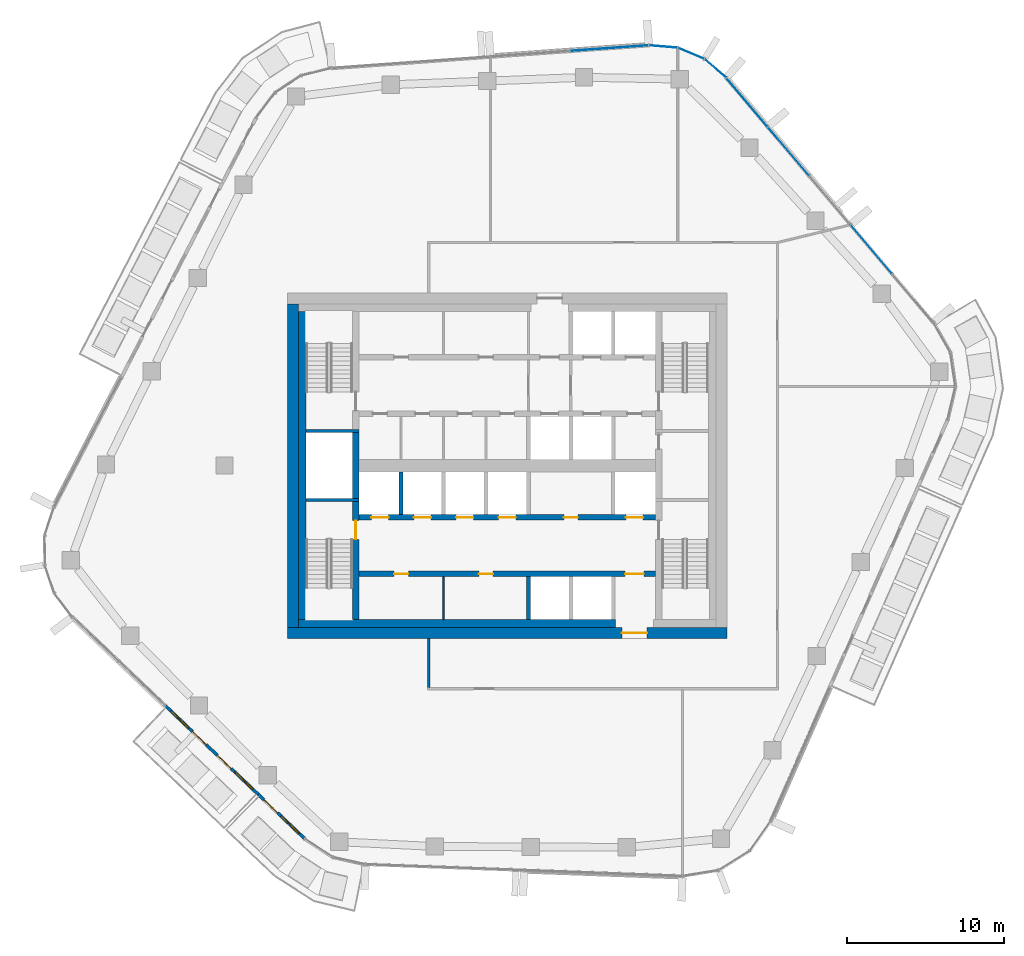
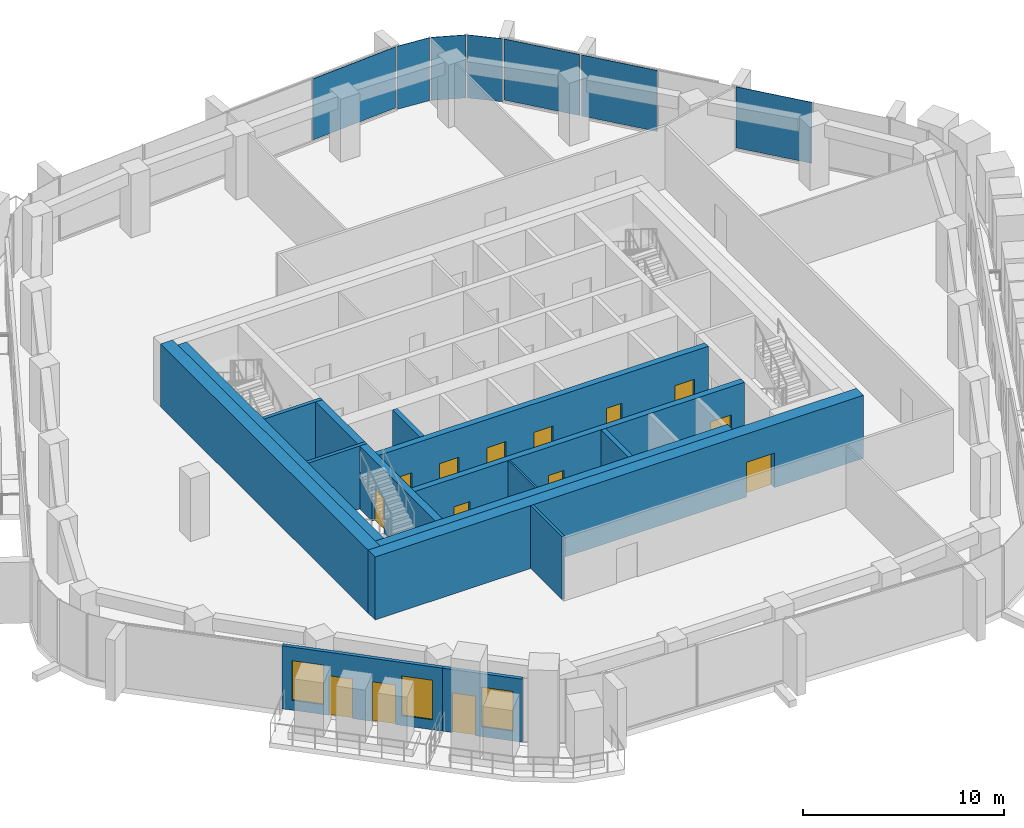
# One storey, part 11 of 21: 16 walls, 14 doors, 7 plates, 3 windows, 17 openings, 3 elements without a shape of their own.
"""IFC4 building model written with IfcOpenShell, lengths in metres."""

from ifc_helpers import new_model, si_unit, direction, frame, frame_2d, origin, origin_2d, place, context, subcontext, project, spatial, rectangle, extrude, material, layer, layer_set, type_object, element, fill, aggregate, save


model = new_model("IFC4")

# Units and contexts
model_context = context("Model", 3, precision=1e-05, world=origin(), true_north=direction((0.0, 1.0)))
body_context = subcontext(model_context, "Body", "Model", "MODEL_VIEW")
ifc_project = project(units=[si_unit("LENGTHUNIT", "METRE"), si_unit("AREAUNIT", "SQUARE_METRE"), si_unit("VOLUMEUNIT", "CUBIC_METRE"), si_unit("PLANEANGLEUNIT", "RADIAN"), si_unit("MASSUNIT", "GRAM", prefix="KILO")], contexts=[model_context])

# Site, building, storey
site_placement = place(None, origin())
site = spatial("IfcSite", under=ifc_project, at=site_placement, CompositionType="ELEMENT")
building_placement = place(site_placement, origin())
building = spatial("IfcBuilding", under=site, at=building_placement, Name="Dongbaek Canopy Tower", CompositionType="ELEMENT")
storey_placement = place(building_placement, frame((0.0, 0.0, 274.800048828125)))
storey = spatial("IfcBuildingStorey", under=building, at=storey_placement, Name="L58", CompositionType="ELEMENT", Elevation=274.800048828125)

# Curtain wall, plates
ifc_material_1 = material(Name="Aluminium 6063-T6 pale anodised", Category="aluminium")
ifc_layer_1 = layer(ifc_material_1, 0.199951171875)
ifc_layer_set_1 = layer_set([ifc_layer_1], Name="CW-1 unitised tower curtain wall")
curtain_wall_type = type_object("IfcCurtainWallType", Name="CW-1 unitised tower curtain wall", PredefinedType="NOTDEFINED", material=ifc_layer_set_1)
curtain_wall_1_placement = place(storey_placement, origin())
curtain_wall_1 = element("IfcCurtainWall", 1, at=curtain_wall_1_placement, inside=storey, type_object=curtain_wall_type, Name="CW-1 curtain wall F0.1", PredefinedType="NOTDEFINED")
ifc_material_2 = material(Name="Clear laminated glass", Category="glass")
ifc_layer_2 = layer(ifc_material_2, 0.028076171875)
ifc_layer_set_2 = layer_set([ifc_layer_2], Name="CW-1 glazed panel 28")
plate_type = type_object("IfcPlateType", Name="CW-1 glazed panel 28", PredefinedType="CURTAIN_PANEL", material=ifc_layer_set_2)
plate_1_placement = place(storey_placement, frame((23.1767578125, 13.771728515625, 0.1201171875), z_axis=(0.0, 0.0, 1.0), x_axis=(-0.646055122273, 0.763290756517, 0.0)))
plate_1 = element("IfcPlate", 2, at=plate_1_placement, type_object=plate_type, Name="CW-1 panel F0.1.2.1", PredefinedType="CURTAIN_PANEL", context=body_context, shape_type="SweptSolid", body=[
    extrude(rectangle(XDim=3.99853515625, YDim=0.028076171875, at=origin_2d()), origin(), (0.0, 0.0, 1.0), 3.699951171875),
])
plate_2_placement = place(storey_placement, frame((17.901611328125, 20.00390625, 0.1201171875), z_axis=(0.0, 0.0, 1.0), x_axis=(-0.646055122273, 0.763290756517, 0.0)))
plate_2 = element("IfcPlate", 3, at=plate_2_placement, type_object=plate_type, Name="CW-1 panel F0.1.4.1", PredefinedType="CURTAIN_PANEL", context=body_context, shape_type="SweptSolid", body=[
    extrude(rectangle(XDim=3.99853515625, YDim=0.028076171875, at=origin_2d()), origin(), (0.0, 0.0, 1.0), 3.699951171875),
])
plate_3_placement = place(storey_placement, frame((15.2666015625, 23.1171875, 0.1201171875), z_axis=(0.0, 0.0, 1.0), x_axis=(-0.646055122273, 0.763290756517, 0.0)))
plate_3 = element("IfcPlate", 4, at=plate_3_placement, type_object=plate_type, Name="CW-1 panel F0.1.5.1", PredefinedType="CURTAIN_PANEL", context=body_context, shape_type="SweptSolid", body=[
    extrude(rectangle(XDim=3.99072265625, YDim=0.028076171875, at=origin_2d()), origin(), (0.0, 0.0, 1.0), 3.699951171875),
])
aggregate(curtain_wall_1, [plate_1, plate_2, plate_3])

curtain_wall_2_placement = place(storey_placement, origin())
curtain_wall_2 = element("IfcCurtainWall", 5, at=curtain_wall_2_placement, inside=storey, type_object=curtain_wall_type, Name="CW-1 curtain wall K1.1", PredefinedType="NOTDEFINED")
plate_4_placement = place(storey_placement, frame((13.25048828125, 25.276123046875, 0.0), z_axis=(0.0, 0.0, 1.0), x_axis=(-0.757257908115, 0.653115962595, 0.0)))
plate_4 = element("IfcPlate", 6, at=plate_4_placement, type_object=plate_type, Name="CW-1 panel K1.1.1.1", PredefinedType="CURTAIN_PANEL", context=body_context, shape_type="SweptSolid", body=[
    extrude(rectangle(XDim=1.76513671875, YDim=0.028076171875, at=origin_2d()), origin(), (0.0, 0.0, 1.0), 3.820068359375),
])
plate_5_placement = place(storey_placement, frame((11.70166015625, 26.23681640625, 0.0), z_axis=(0.0, 0.0, 1.0), x_axis=(-0.921724437887, 0.387845408122, 0.0)))
plate_5 = element("IfcPlate", 7, at=plate_5_placement, type_object=plate_type, Name="CW-1 panel K1.1.2.1", PredefinedType="CURTAIN_PANEL", context=body_context, shape_type="SweptSolid", body=[
    extrude(rectangle(XDim=1.757080078125, YDim=0.028076171875, at=origin_2d()), origin(), (0.0, 0.0, 1.0), 3.820068359375),
])
plate_6_placement = place(storey_placement, frame((9.93212890625, 26.67236328125, 0.0), z_axis=(0.0, 0.0, 1.0), x_axis=(-0.996398686908, 0.084791843518, 0.0)))
plate_6 = element("IfcPlate", 8, at=plate_6_placement, type_object=plate_type, Name="CW-1 panel K1.1.3.1", PredefinedType="CURTAIN_PANEL", context=body_context, shape_type="SweptSolid", body=[
    extrude(rectangle(XDim=1.76513671875, YDim=0.028076171875, at=origin_2d()), origin(), (0.0, 0.0, 1.0), 3.820068359375),
])
aggregate(curtain_wall_2, [plate_4, plate_5, plate_6])

# Curtain wall, plate
curtain_wall_3_placement = place(storey_placement, origin())
curtain_wall_3 = element("IfcCurtainWall", 9, at=curtain_wall_3_placement, inside=storey, type_object=curtain_wall_type, Name="CW-1 curtain wall F1.1", PredefinedType="NOTDEFINED")
plate_7_placement = place(storey_placement, frame((6.4912109375, 26.569580078125, 0.1201171875), z_axis=(0.0, 0.0, 1.0), x_axis=(-0.997423073198, -0.07174408026, 0.0)))
plate_7 = element("IfcPlate", 10, at=plate_7_placement, type_object=plate_type, Name="CW-1 panel F1.1.1.1", PredefinedType="CURTAIN_PANEL", context=body_context, shape_type="SweptSolid", body=[
    extrude(rectangle(XDim=4.968505859375, YDim=0.028076171875, at=origin_2d()), origin(), (0.0, 0.0, 1.0), 3.699951171875),
])
aggregate(curtain_wall_3, [plate_7])

# Wall, openings, doors
ifc_material_3 = material(Name="Concrete C60/75", Category="concrete")
ifc_layer_3 = layer(ifc_material_3, 0.35009765625)
ifc_layer_set_3 = layer_set([ifc_layer_3], Name="Core lobby wall 350 Concrete C60/75")
wall_type_1 = type_object("IfcWallType", Name="Core lobby wall 350 Concrete C60/75", PredefinedType="SHEAR", material=ifc_layer_set_3)
wall_1_placement = place(storey_placement, frame((-9.449951171875, -3.300048828125, 0.0), z_axis=(0.0, 0.0, 1.0), x_axis=(1.0, 0.0, 0.0)))
wall_1 = element("IfcWall", 11, at=wall_1_placement, inside=storey, type_object=wall_type_1, Name="Core wall", PredefinedType="SHEAR", context=body_context, shape_type="SweptSolid", body=[
    extrude(rectangle(XDim=18.89990234375, YDim=0.35009765625, at=frame_2d((9.449951171875, 0.0))), origin(), (0.0, 0.0, 1.0), 3.820068359375),
])
opening_1_placement = place(wall_1_placement, frame((0.800048828125, 0.0, 0.0)))
opening_1 = element("IfcOpeningElement", 12, at=opening_1_placement, cuts=wall_1, Name="Opening L58-D014", PredefinedType="OPENING", context=body_context, shape_type="SweptSolid", body=[
    extrude(rectangle(XDim=1.10009765625, YDim=2.10009765625, at=frame_2d((0.550048828125, 1.050048828125))), frame((0.0, 0.18505859375, 0.0), z_axis=(0.0, -1.0, 0.0), x_axis=(1.0, 0.0, 0.0)), (0.0, 0.0, 1.0), 0.3701171875),
])
opening_2_placement = place(wall_1_placement, frame((3.5, 0.0, 0.0)))
opening_2 = element("IfcOpeningElement", 13, at=opening_2_placement, cuts=wall_1, Name="Opening L58-D015", PredefinedType="OPENING", context=body_context, shape_type="SweptSolid", body=[
    extrude(rectangle(XDim=1.10009765625, YDim=2.10009765625, at=frame_2d((0.550048828125, 1.050048828125))), frame((0.0, 0.18505859375, 0.0), z_axis=(0.0, -1.0, 0.0), x_axis=(1.0, 0.0, 0.0)), (0.0, 0.0, 1.0), 0.3701171875),
])
opening_3_placement = place(wall_1_placement, frame((6.199951171875, 0.0, 0.0)))
opening_3 = element("IfcOpeningElement", 14, at=opening_3_placement, cuts=wall_1, Name="Opening L58-D016", PredefinedType="OPENING", context=body_context, shape_type="SweptSolid", body=[
    extrude(rectangle(XDim=1.10009765625, YDim=2.10009765625, at=frame_2d((0.550048828125, 1.050048828125))), frame((0.0, 0.18505859375, 0.0), z_axis=(0.0, -1.0, 0.0), x_axis=(1.0, 0.0, 0.0)), (0.0, 0.0, 1.0), 0.3701171875),
])
opening_4_placement = place(wall_1_placement, frame((8.89990234375, 0.0, 0.0)))
opening_4 = element("IfcOpeningElement", 15, at=opening_4_placement, cuts=wall_1, Name="Opening L58-D017", PredefinedType="OPENING", context=body_context, shape_type="SweptSolid", body=[
    extrude(rectangle(XDim=1.10009765625, YDim=2.10009765625, at=frame_2d((0.550048828125, 1.050048828125))), frame((0.0, 0.18505859375, 0.0), z_axis=(0.0, -1.0, 0.0), x_axis=(1.0, 0.0, 0.0)), (0.0, 0.0, 1.0), 0.3701171875),
])
opening_5_placement = place(wall_1_placement, frame((17.0, 0.0, 0.0)))
opening_5 = element("IfcOpeningElement", 16, at=opening_5_placement, cuts=wall_1, Name="Opening L58-D018", PredefinedType="OPENING", context=body_context, shape_type="SweptSolid", body=[
    extrude(rectangle(XDim=1.10009765625, YDim=2.10009765625, at=frame_2d((0.550048828125, 1.050048828125))), frame((0.0, 0.18505859375, 0.0), z_axis=(0.0, -1.0, 0.0), x_axis=(1.0, 0.0, 0.0)), (0.0, 0.0, 1.0), 0.3701171875),
])
opening_6_placement = place(wall_1_placement, frame((13.050048828125, 0.0, 0.0)))
opening_6 = element("IfcOpeningElement", 17, at=opening_6_placement, cuts=wall_1, Name="Opening L58-D027", PredefinedType="OPENING", context=body_context, shape_type="SweptSolid", body=[
    extrude(rectangle(XDim=0.89990234375, YDim=2.10009765625, at=frame_2d((0.449951171875, 1.050048828125))), frame((0.0, 0.18505859375, 0.0), z_axis=(0.0, -1.0, 0.0), x_axis=(1.0, 0.0, 0.0)), (0.0, 0.0, 1.0), 0.3701171875),
])
ifc_material_4 = material(Name="Steel", Category="steel")
door_type_1 = type_object("IfcDoorType", Name="Core room door 900 x 2100", OperationType="SINGLE_SWING_LEFT", PredefinedType="DOOR", material=ifc_material_4)
door_1_placement = place(opening_6_placement, origin())
door_1 = element("IfcDoor", 18, at=door_1_placement, inside=storey, type_object=door_type_1, Name="Door L58-D027", OperationType="SINGLE_SWING_RIGHT", OverallHeight=2.10009765625, OverallWidth=0.89990234375, PredefinedType="DOOR", context=body_context, shape_type="SweptSolid", body=[
    extrude(rectangle(XDim=0.89990234375, YDim=2.10009765625, at=frame_2d((0.449951171875, 1.050048828125))), frame((0.0, 0.02490234375, 0.0), z_axis=(0.0, -1.0, 0.0), x_axis=(1.0, 0.0, 0.0)), (0.0, 0.0, 1.0), 0.050048828125),
])
fill(opening_6, door_1)
ifc_material_5 = material(Name="Stainless steel", Category="steel")
door_type_2 = type_object("IfcDoorType", Name="Lift landing door 1100 x 2100", OperationType="DOUBLE_DOOR_SLIDING", PredefinedType="DOOR", material=ifc_material_5)
door_2_placement = place(opening_1_placement, origin())
door_2 = element("IfcDoor", 19, at=door_2_placement, inside=storey, type_object=door_type_2, Name="Landing door MR1", OperationType="DOUBLE_DOOR_SLIDING", OverallHeight=2.10009765625, OverallWidth=1.10009765625, PredefinedType="DOOR", context=body_context, shape_type="SweptSolid", body=[
    extrude(rectangle(XDim=1.10009765625, YDim=2.10009765625, at=frame_2d((0.550048828125, 1.050048828125))), frame((0.0, 0.02490234375, 0.0), z_axis=(0.0, -1.0, 0.0), x_axis=(1.0, 0.0, 0.0)), (0.0, 0.0, 1.0), 0.050048828125),
])
fill(opening_1, door_2)
door_3_placement = place(opening_2_placement, origin())
door_3 = element("IfcDoor", 20, at=door_3_placement, inside=storey, type_object=door_type_2, Name="Landing door MR2", OperationType="DOUBLE_DOOR_SLIDING", OverallHeight=2.10009765625, OverallWidth=1.10009765625, PredefinedType="DOOR", context=body_context, shape_type="SweptSolid", body=[
    extrude(rectangle(XDim=1.10009765625, YDim=2.10009765625, at=frame_2d((0.550048828125, 1.050048828125))), frame((0.0, 0.02490234375, 0.0), z_axis=(0.0, -1.0, 0.0), x_axis=(1.0, 0.0, 0.0)), (0.0, 0.0, 1.0), 0.050048828125),
])
fill(opening_2, door_3)
door_4_placement = place(opening_3_placement, origin())
door_4 = element("IfcDoor", 21, at=door_4_placement, inside=storey, type_object=door_type_2, Name="Landing door MR3", OperationType="DOUBLE_DOOR_SLIDING", OverallHeight=2.10009765625, OverallWidth=1.10009765625, PredefinedType="DOOR", context=body_context, shape_type="SweptSolid", body=[
    extrude(rectangle(XDim=1.10009765625, YDim=2.10009765625, at=frame_2d((0.550048828125, 1.050048828125))), frame((0.0, 0.02490234375, 0.0), z_axis=(0.0, -1.0, 0.0), x_axis=(1.0, 0.0, 0.0)), (0.0, 0.0, 1.0), 0.050048828125),
])
fill(opening_3, door_4)
door_5_placement = place(opening_4_placement, origin())
door_5 = element("IfcDoor", 22, at=door_5_placement, inside=storey, type_object=door_type_2, Name="Landing door MR4", OperationType="DOUBLE_DOOR_SLIDING", OverallHeight=2.10009765625, OverallWidth=1.10009765625, PredefinedType="DOOR", context=body_context, shape_type="SweptSolid", body=[
    extrude(rectangle(XDim=1.10009765625, YDim=2.10009765625, at=frame_2d((0.550048828125, 1.050048828125))), frame((0.0, 0.02490234375, 0.0), z_axis=(0.0, -1.0, 0.0), x_axis=(1.0, 0.0, 0.0)), (0.0, 0.0, 1.0), 0.050048828125),
])
fill(opening_4, door_5)
door_6_placement = place(opening_5_placement, origin())
door_6 = element("IfcDoor", 23, at=door_6_placement, inside=storey, type_object=door_type_2, Name="Landing door SV2", OperationType="DOUBLE_DOOR_SLIDING", OverallHeight=2.10009765625, OverallWidth=1.10009765625, PredefinedType="DOOR", context=body_context, shape_type="SweptSolid", body=[
    extrude(rectangle(XDim=1.10009765625, YDim=2.10009765625, at=frame_2d((0.550048828125, 1.050048828125))), frame((0.0, 0.02490234375, 0.0), z_axis=(0.0, -1.0, 0.0), x_axis=(1.0, 0.0, 0.0)), (0.0, 0.0, 1.0), 0.050048828125),
])
fill(opening_5, door_6)

wall_2_placement = place(storey_placement, frame((9.449951171875, -6.89990234375, 0.0), z_axis=(0.0, 0.0, 1.0), x_axis=(-1.0, 0.0, 0.0)))
wall_2 = element("IfcWall", 24, at=wall_2_placement, inside=storey, type_object=wall_type_1, Name="Core wall", PredefinedType="SHEAR", context=body_context, shape_type="SweptSolid", body=[
    extrude(rectangle(XDim=18.89990234375, YDim=0.35009765625, at=frame_2d((9.449951171875, 0.0))), origin(), (0.0, 0.0, 1.0), 3.820068359375),
])
opening_7_placement = place(wall_2_placement, frame((0.75, 0.0, 0.0)))
opening_7 = element("IfcOpeningElement", 25, at=opening_7_placement, cuts=wall_2, Name="Opening L58-D020", PredefinedType="OPENING", context=body_context, shape_type="SweptSolid", body=[
    extrude(rectangle(XDim=1.199951171875, YDim=2.10009765625, at=frame_2d((0.60009765625, 1.050048828125))), frame((0.0, 0.18505859375, 0.0), z_axis=(0.0, -1.0, 0.0), x_axis=(1.0, 0.0, 0.0)), (0.0, 0.0, 1.0), 0.3701171875),
])
opening_8_placement = place(wall_2_placement, frame((15.75, 0.0, 0.0)))
opening_8 = element("IfcOpeningElement", 26, at=opening_8_placement, cuts=wall_2, Name="Opening L58-D028", PredefinedType="OPENING", context=body_context, shape_type="SweptSolid", body=[
    extrude(rectangle(XDim=0.89990234375, YDim=2.10009765625, at=frame_2d((0.449951171875, 1.050048828125))), frame((0.0, 0.18505859375, 0.0), z_axis=(0.0, -1.0, 0.0), x_axis=(1.0, 0.0, 0.0)), (0.0, 0.0, 1.0), 0.3701171875),
])
opening_9_placement = place(wall_2_placement, frame((10.35009765625, 0.0, 0.0)))
opening_9 = element("IfcOpeningElement", 27, at=opening_9_placement, cuts=wall_2, Name="Opening L58-D029", PredefinedType="OPENING", context=body_context, shape_type="SweptSolid", body=[
    extrude(rectangle(XDim=0.89990234375, YDim=2.10009765625, at=frame_2d((0.449951171875, 1.050048828125))), frame((0.0, 0.18505859375, 0.0), z_axis=(0.0, -1.0, 0.0), x_axis=(1.0, 0.0, 0.0)), (0.0, 0.0, 1.0), 0.3701171875),
])
door_7_placement = place(opening_8_placement, origin())
door_7 = element("IfcDoor", 28, at=door_7_placement, inside=storey, type_object=door_type_1, Name="Door L58-D028", OperationType="SINGLE_SWING_LEFT", OverallHeight=2.10009765625, OverallWidth=0.89990234375, PredefinedType="DOOR", context=body_context, shape_type="SweptSolid", body=[
    extrude(rectangle(XDim=0.89990234375, YDim=2.10009765625, at=frame_2d((0.449951171875, 1.050048828125))), frame((0.0, 0.02490234375, 0.0), z_axis=(0.0, -1.0, 0.0), x_axis=(1.0, 0.0, 0.0)), (0.0, 0.0, 1.0), 0.050048828125),
])
fill(opening_8, door_7)
door_8_placement = place(opening_9_placement, origin())
door_8 = element("IfcDoor", 29, at=door_8_placement, inside=storey, type_object=door_type_1, Name="Door L58-D029", OperationType="SINGLE_SWING_RIGHT", OverallHeight=2.10009765625, OverallWidth=0.89990234375, PredefinedType="DOOR", context=body_context, shape_type="SweptSolid", body=[
    extrude(rectangle(XDim=0.89990234375, YDim=2.10009765625, at=frame_2d((0.449951171875, 1.050048828125))), frame((0.0, 0.02490234375, 0.0), z_axis=(0.0, -1.0, 0.0), x_axis=(1.0, 0.0, 0.0)), (0.0, 0.0, 1.0), 0.050048828125),
])
fill(opening_9, door_8)
ifc_material_6 = material(Name="Steel", Category="steel")
door_type_3 = type_object("IfcDoorType", Name="Fire lobby door 1200 x 2100", OperationType="SINGLE_SWING_LEFT", PredefinedType="DOOR", material=ifc_material_6)
door_9_placement = place(opening_7_placement, origin())
door_9 = element("IfcDoor", 30, at=door_9_placement, inside=storey, type_object=door_type_3, Name="Door L58-D020", OperationType="SINGLE_SWING_LEFT", OverallHeight=2.10009765625, OverallWidth=1.199951171875, PredefinedType="DOOR", context=body_context, shape_type="SweptSolid", body=[
    extrude(rectangle(XDim=1.199951171875, YDim=2.10009765625, at=frame_2d((0.60009765625, 1.050048828125))), frame((0.0, 0.02490234375, 0.0), z_axis=(0.0, -1.0, 0.0), x_axis=(1.0, 0.0, 0.0)), (0.0, 0.0, 1.0), 0.050048828125),
])
fill(opening_7, door_9)

# Wall, opening, door
ifc_material_7 = material(Name="Concrete C70/85", Category="concrete")
ifc_layer_4 = layer(ifc_material_7, 0.699951171875)
ifc_layer_set_4 = layer_set([ifc_layer_4], Name="Core outer wall 700 Concrete C70/85")
wall_type_2 = type_object("IfcWallType", Name="Core outer wall 700 Concrete C70/85", PredefinedType="SHEAR", material=ifc_layer_set_4)
wall_3_placement = place(storey_placement, frame((14.0, -10.64990234375, 0.0), z_axis=(0.0, 0.0, 1.0), x_axis=(-1.0, 0.0, 0.0)))
wall_3 = element("IfcWall", 31, at=wall_3_placement, inside=storey, type_object=wall_type_2, Name="Core wall", PredefinedType="SHEAR", context=body_context, shape_type="SweptSolid", body=[
    extrude(rectangle(XDim=28.0, YDim=0.699951171875, at=frame_2d((14.0, 0.0))), origin(), (0.0, 0.0, 1.0), 3.820068359375),
])
opening_10_placement = place(wall_3_placement, frame((5.10009765625, 0.0, 0.0)))
opening_10 = element("IfcOpeningElement", 32, at=opening_10_placement, cuts=wall_3, Name="Opening L58-D019", PredefinedType="OPENING", context=body_context, shape_type="SweptSolid", body=[
    extrude(rectangle(XDim=1.60009765625, YDim=2.10009765625, at=frame_2d((0.800048828125, 1.050048828125))), frame((0.0, 0.35986328125, 0.0), z_axis=(0.0, -1.0, 0.0), x_axis=(1.0, 0.0, 0.0)), (0.0, 0.0, 1.0), 0.719970703125),
])
ifc_material_8 = material(Name="Steel", Category="steel")
door_type_4 = type_object("IfcDoorType", Name="Core exit door 1600 x 2100", OperationType="DOUBLE_DOOR_SINGLE_SWING", PredefinedType="DOOR", material=ifc_material_8)
door_10_placement = place(opening_10_placement, origin())
door_10 = element("IfcDoor", 33, at=door_10_placement, inside=storey, type_object=door_type_4, Name="Core exit door", OperationType="DOUBLE_DOOR_SINGLE_SWING", OverallHeight=2.10009765625, OverallWidth=1.60009765625, PredefinedType="DOOR", context=body_context, shape_type="SweptSolid", body=[
    extrude(rectangle(XDim=1.60009765625, YDim=2.10009765625, at=frame_2d((0.800048828125, 1.050048828125))), frame((0.0, 0.02490234375, 0.0), z_axis=(0.0, -1.0, 0.0), x_axis=(1.0, 0.0, 0.0)), (0.0, 0.0, 1.0), 0.050048828125),
])
fill(opening_10, door_10)

# Walls
wall_4_placement = place(storey_placement, frame((-13.64990234375, -10.300048828125, 0.0), z_axis=(0.0, 0.0, 1.0), x_axis=(0.0, 1.0, 0.0)))
element("IfcWall", 34, at=wall_4_placement, inside=storey, type_object=wall_type_2, Name="Core wall", PredefinedType="SHEAR", context=body_context, shape_type="SweptSolid", body=[
    extrude(rectangle(XDim=20.60009765625, YDim=0.699951171875, at=frame_2d((10.300048828125, 0.0))), origin(), (0.0, 0.0, 1.0), 3.820068359375),
])
ifc_material_9 = material(Name="Concrete C60/75", Category="concrete")
ifc_layer_5 = layer(ifc_material_9, 0.5)
ifc_layer_set_5 = layer_set([ifc_layer_5], Name="Core wall lining 500 Concrete C60/75")
wall_type_3 = type_object("IfcWallType", Name="Core wall lining 500 Concrete C60/75", PredefinedType="SHEAR", material=ifc_layer_set_5)
wall_5_placement = place(storey_placement, frame((6.89990234375, -10.050048828125, 0.0), z_axis=(0.0, 0.0, 1.0), x_axis=(-1.0, 0.0, 0.0)))
element("IfcWall", 35, at=wall_5_placement, inside=storey, type_object=wall_type_3, Name="Core wall lining", PredefinedType="SHEAR", context=body_context, shape_type="SweptSolid", body=[
    extrude(rectangle(XDim=20.199951171875, YDim=0.5, at=frame_2d((10.10009765625, 0.0))), origin(), (0.0, 0.0, 1.0), 3.820068359375),
])
wall_6_placement = place(storey_placement, frame((-13.050048828125, -9.800048828125, 0.0), z_axis=(0.0, 0.0, 1.0), x_axis=(0.0, 1.0, 0.0)))
element("IfcWall", 36, at=wall_6_placement, inside=storey, type_object=wall_type_3, Name="Core wall lining", PredefinedType="SHEAR", context=body_context, shape_type="SweptSolid", body=[
    extrude(rectangle(XDim=19.60009765625, YDim=0.5, at=frame_2d((9.800048828125, 0.0))), origin(), (0.0, 0.0, 1.0), 3.820068359375),
])
ifc_material_10 = material(Name="Gypsum board partition, steel stud, 2 x 15 mm fire board", Category="steel")
ifc_layer_6 = layer(ifc_material_10, 0.14990234375)
ifc_layer_set_6 = layer_set([ifc_layer_6], Name="Fire-rated partition 150 gypsum board")
wall_type_4 = type_object("IfcWallType", Name="Fire-rated partition 150 gypsum board", PredefinedType="PARTITIONING", material=ifc_layer_set_6)
wall_7_placement = place(storey_placement, frame((-5.0, -14.125, 0.0), z_axis=(0.0, 0.0, 1.0), x_axis=(0.0, 1.0, 0.0)))
element("IfcWall", 37, at=wall_7_placement, inside=storey, type_object=wall_type_4, Name="Corridor partition", PredefinedType="PARTITIONING", context=body_context, shape_type="SweptSolid", body=[
    extrude(rectangle(XDim=3.125, YDim=0.14990234375, at=frame_2d((1.5625, 0.0))), origin(), (0.0, 0.0, 1.0), 3.820068359375),
])
ifc_material_11 = material(Name="Concrete C40/50", Category="concrete")
ifc_layer_7 = layer(ifc_material_11, 0.25)
ifc_layer_set_7 = layer_set([ifc_layer_7], Name="Lift shaft wall 250 Concrete C40/50")
wall_type_5 = type_object("IfcWallType", Name="Lift shaft wall 250 Concrete C40/50", PredefinedType="SOLIDWALL", material=ifc_layer_set_7)
for number, where, z_axis, x_axis, name in (
    (38, (1.35009765625, -9.800048828125, 0.0), (0.0, 0.0, 1.0), (0.0, 1.0, 0.0), "Lift shaft wall"),
    (39, (-6.75, -3.125, 0.0), (0.0, 0.0, 1.0), (0.0, 1.0, 0.0), "Lift shaft wall"),
):
    element("IfcWall", number, at=place(storey_placement, frame(where, z_axis=z_axis, x_axis=x_axis)), inside=storey, type_object=wall_type_5, Name=name, PredefinedType="SOLIDWALL", context=body_context, shape_type="SweptSolid", body=[
        extrude(rectangle(XDim=2.72509765625, YDim=0.25, at=frame_2d((1.362548828125, 0.0))), origin(), (0.0, 0.0, 1.0), 3.820068359375),
    ])
ifc_material_12 = material(Name="Gypsum board partition, steel stud, 2 x 12.5 mm board", Category="steel")
ifc_layer_8 = layer(ifc_material_12, 0.10009765625)
ifc_layer_set_8 = layer_set([ifc_layer_8], Name="Partition 100 gypsum board")
wall_type_6 = type_object("IfcWallType", Name="Partition 100 gypsum board", PredefinedType="PARTITIONING", material=ifc_layer_set_8)
wall_8_placement = place(storey_placement, frame((-4.050048828125, -9.800048828125, 0.0), z_axis=(0.0, 0.0, 1.0), x_axis=(0.0, 1.0, 0.0)))
element("IfcWall", 40, at=wall_8_placement, inside=storey, type_object=wall_type_6, Name="Core partition", PredefinedType="PARTITIONING", context=body_context, shape_type="SweptSolid", body=[
    extrude(rectangle(XDim=2.72509765625, YDim=0.10009765625, at=frame_2d((1.362548828125, 0.0))), origin(), (0.0, 0.0, 1.0), 3.820068359375),
])
ifc_material_13 = material(Name="Concrete C60/75", Category="concrete")
ifc_layer_9 = layer(ifc_material_13, 0.199951171875)
ifc_layer_set_9 = layer_set([ifc_layer_9], Name="Riser wall 200 Concrete C60/75")
wall_type_7 = type_object("IfcWallType", Name="Riser wall 200 Concrete C60/75", PredefinedType="SHEAR", material=ifc_layer_set_9)
for number, where, z_axis, x_axis, name in (
    (41, (-9.449951171875, 2.199951171875, 0.0), (0.0, 0.0, 1.0), (-1.0, 0.0, 0.0), "Riser wall"),
    (42, (-9.449951171875, -2.199951171875, 0.0), (0.0, 0.0, 1.0), (-1.0, 0.0, 0.0), "Riser wall"),
):
    element("IfcWall", number, at=place(storey_placement, frame(where, z_axis=z_axis, x_axis=x_axis)), inside=storey, type_object=wall_type_7, Name=name, PredefinedType="SHEAR", context=body_context, shape_type="SweptSolid", body=[
        extrude(rectangle(XDim=3.35009765625, YDim=0.199951171875, at=frame_2d((1.675048828125, 0.0))), origin(), (0.0, 0.0, 1.0), 3.820068359375),
    ])

# Wall, opening, door
ifc_material_14 = material(Name="Concrete C60/75", Category="concrete")
ifc_layer_10 = layer(ifc_material_14, 0.39990234375)
ifc_layer_set_10 = layer_set([ifc_layer_10], Name="Stair wall 400 Concrete C60/75")
wall_type_8 = type_object("IfcWallType", Name="Stair wall 400 Concrete C60/75", PredefinedType="SHEAR", material=ifc_layer_set_10)
wall_9_placement = place(storey_placement, frame((-9.64990234375, -9.800048828125, 0.0), z_axis=(0.0, 0.0, 1.0), x_axis=(0.0, 1.0, 0.0)))
wall_9 = element("IfcWall", 43, at=wall_9_placement, inside=storey, type_object=wall_type_8, Name="Stair wall", PredefinedType="SHEAR", context=body_context, shape_type="SweptSolid", body=[
    extrude(rectangle(XDim=7.5, YDim=0.39990234375, at=frame_2d((3.75, 0.0))), origin(), (0.0, 0.0, 1.0), 3.820068359375),
])
opening_11_placement = place(wall_9_placement, frame((5.10009765625, 0.0, 0.0)))
opening_11 = element("IfcOpeningElement", 44, at=opening_11_placement, cuts=wall_9, Name="Opening L58-D033", PredefinedType="OPENING", context=body_context, shape_type="SweptSolid", body=[
    extrude(rectangle(XDim=1.199951171875, YDim=2.10009765625, at=frame_2d((0.60009765625, 1.050048828125))), frame((0.0, 0.2099609375, 0.0), z_axis=(0.0, -1.0, 0.0), x_axis=(1.0, 0.0, 0.0)), (0.0, 0.0, 1.0), 0.419921875),
])
ifc_material_15 = material(Name="Steel", Category="steel")
door_type_5 = type_object("IfcDoorType", Name="Stair door 1200 x 2100", OperationType="SINGLE_SWING_LEFT", PredefinedType="DOOR", material=ifc_material_15)
door_11_placement = place(opening_11_placement, origin())
door_11 = element("IfcDoor", 45, at=door_11_placement, inside=storey, type_object=door_type_5, Name="Stair D door", OperationType="SINGLE_SWING_LEFT", OverallHeight=2.10009765625, OverallWidth=1.199951171875, PredefinedType="DOOR", context=body_context, shape_type="SweptSolid", body=[
    extrude(rectangle(XDim=1.199951171875, YDim=2.10009765625, at=frame_2d((0.60009765625, 1.050048828125))), frame((0.0, 0.02490234375, 0.0), z_axis=(0.0, -1.0, 0.0), x_axis=(1.0, 0.0, 0.0)), (0.0, 0.0, 1.0), 0.050048828125),
])
fill(opening_11, door_11)

# Wall
wall_10_placement = place(storey_placement, frame((-9.64990234375, -2.10009765625, 0.0), z_axis=(0.0, 0.0, 1.0), x_axis=(0.0, 1.0, 0.0)))
element("IfcWall", 46, at=wall_10_placement, inside=storey, type_object=wall_type_8, Name="Stair wall", PredefinedType="SHEAR", context=body_context, shape_type="SweptSolid", body=[
    extrude(rectangle(XDim=4.2001953125, YDim=0.39990234375, at=frame_2d((2.10009765625, 0.0))), origin(), (0.0, 0.0, 1.0), 3.820068359375),
])

# Wall, openings, doors, windows
ifc_material_16 = material(Name="Aluminium window wall", Category="aluminium")
ifc_layer_11 = layer(ifc_material_16, 0.199951171875)
ifc_layer_set_11 = layer_set([ifc_layer_11], Name="Window wall 200")
wall_type_9 = type_object("IfcWallType", Name="Window wall 200", PredefinedType="SOLIDWALL", material=ifc_layer_set_11)
wall_11_placement = place(storey_placement, frame((-21.767333984375, -15.2802734375, 0.0), z_axis=(0.0, 0.0, 1.0), x_axis=(0.723352158006, -0.690479294048, 0.0)))
wall_11 = element("IfcWall", 47, at=wall_11_placement, inside=storey, type_object=wall_type_9, Name="Window wall L58 2", PredefinedType="SOLIDWALL", context=body_context, shape_type="SweptSolid", body=[
    extrude(rectangle(XDim=8.184326171875, YDim=0.199951171875, at=frame_2d((4.09228515625, 0.0))), origin(), (0.0, 0.0, 1.0), 3.820068359375),
])
opening_12_placement = place(wall_11_placement, frame((0.5, 0.0, 0.60009765625)))
opening_12 = element("IfcOpeningElement", 48, at=opening_12_placement, cuts=wall_11, Name="Opening W1", PredefinedType="OPENING", context=body_context, shape_type="SweptSolid", body=[
    extrude(rectangle(XDim=1.60009765625, YDim=2.39990234375, at=frame_2d((0.800048828125, 1.199951171875))), frame((0.0, 0.10986328125, 0.0), z_axis=(0.0, -1.0, 0.0), x_axis=(1.0, 0.0, 0.0)), (0.0, 0.0, 1.0), 0.219970703125),
])
opening_13_placement = place(wall_11_placement, frame((2.39990234375, 0.0, 0.0)))
opening_13 = element("IfcOpeningElement", 49, at=opening_13_placement, cuts=wall_11, Name="Opening L58-B05", PredefinedType="OPENING", context=body_context, shape_type="SweptSolid", body=[
    extrude(rectangle(XDim=1.199951171875, YDim=2.39990234375, at=frame_2d((0.60009765625, 1.199951171875))), frame((0.0, 0.10986328125, 0.0), z_axis=(0.0, -1.0, 0.0), x_axis=(1.0, 0.0, 0.0)), (0.0, 0.0, 1.0), 0.219970703125),
])
opening_14_placement = place(wall_11_placement, frame((6.09228515625, 0.0, 0.60009765625)))
opening_14 = element("IfcOpeningElement", 50, at=opening_14_placement, cuts=wall_11, Name="Opening W1", PredefinedType="OPENING", context=body_context, shape_type="SweptSolid", body=[
    extrude(rectangle(XDim=1.60009765625, YDim=2.39990234375, at=frame_2d((0.800048828125, 1.199951171875))), frame((0.0, 0.10986328125, 0.0), z_axis=(0.0, -1.0, 0.0), x_axis=(1.0, 0.0, 0.0)), (0.0, 0.0, 1.0), 0.219970703125),
])
opening_15_placement = place(wall_11_placement, frame((4.59228515625, 0.0, 0.0)))
opening_15 = element("IfcOpeningElement", 51, at=opening_15_placement, cuts=wall_11, Name="Opening L58-B06", PredefinedType="OPENING", context=body_context, shape_type="SweptSolid", body=[
    extrude(rectangle(XDim=1.199951171875, YDim=2.39990234375, at=frame_2d((0.60009765625, 1.199951171875))), frame((0.0, 0.10986328125, 0.0), z_axis=(0.0, -1.0, 0.0), x_axis=(1.0, 0.0, 0.0)), (0.0, 0.0, 1.0), 0.219970703125),
])
ifc_material_17 = material(Name="Clear glazing in aluminium frame", Category="aluminium")
door_type_6 = type_object("IfcDoorType", Name="Balcony door BD1 1200 x 2400", OperationType="SLIDING_TO_LEFT", PredefinedType="DOOR", material=ifc_material_17)
door_12_placement = place(opening_13_placement, origin())
door_12 = element("IfcDoor", 52, at=door_12_placement, inside=storey, type_object=door_type_6, Name="Balcony door L58-B05", OperationType="SLIDING_TO_LEFT", OverallHeight=2.39990234375, OverallWidth=1.199951171875, PredefinedType="DOOR", context=body_context, shape_type="SweptSolid", body=[
    extrude(rectangle(XDim=1.199951171875, YDim=2.39990234375, at=frame_2d((0.60009765625, 1.199951171875))), frame((0.0, 0.02490234375, 0.0), z_axis=(0.0, -1.0, 0.0), x_axis=(1.0, 0.0, 0.0)), (0.0, 0.0, 1.0), 0.050048828125),
])
fill(opening_13, door_12)
door_13_placement = place(opening_15_placement, origin())
door_13 = element("IfcDoor", 53, at=door_13_placement, inside=storey, type_object=door_type_6, Name="Balcony door L58-B06", OperationType="SLIDING_TO_LEFT", OverallHeight=2.39990234375, OverallWidth=1.199951171875, PredefinedType="DOOR", context=body_context, shape_type="SweptSolid", body=[
    extrude(rectangle(XDim=1.199951171875, YDim=2.39990234375, at=frame_2d((0.60009765625, 1.199951171875))), frame((0.0, 0.02490234375, 0.0), z_axis=(0.0, -1.0, 0.0), x_axis=(1.0, 0.0, 0.0)), (0.0, 0.0, 1.0), 0.050048828125),
])
fill(opening_15, door_13)
ifc_material_18 = material(Name="Clear glazing in aluminium frame", Category="aluminium")
window_type = type_object("IfcWindowType", Name="Window W1 1600 x 2400", PartitioningType="SINGLE_PANEL", PredefinedType="WINDOW", material=ifc_material_18)
window_1_placement = place(opening_12_placement, origin())
window_1 = element("IfcWindow", 54, at=window_1_placement, inside=storey, type_object=window_type, Name="Window L58 2.1", OverallHeight=2.39990234375, OverallWidth=1.60009765625, PartitioningType="SINGLE_PANEL", PredefinedType="WINDOW", context=body_context, shape_type="SweptSolid", body=[
    extrude(rectangle(XDim=1.60009765625, YDim=2.39990234375, at=frame_2d((0.800048828125, 1.199951171875))), frame((0.0, 0.030029296875, 0.0), z_axis=(0.0, -1.0, 0.0), x_axis=(1.0, 0.0, 0.0)), (0.0, 0.0, 1.0), 0.06005859375),
])
fill(opening_12, window_1)
window_2_placement = place(opening_14_placement, origin())
window_2 = element("IfcWindow", 55, at=window_2_placement, inside=storey, type_object=window_type, Name="Window L58 2.2", OverallHeight=2.39990234375, OverallWidth=1.60009765625, PartitioningType="SINGLE_PANEL", PredefinedType="WINDOW", context=body_context, shape_type="SweptSolid", body=[
    extrude(rectangle(XDim=1.60009765625, YDim=2.39990234375, at=frame_2d((0.800048828125, 1.199951171875))), frame((0.0, 0.030029296875, 0.0), z_axis=(0.0, -1.0, 0.0), x_axis=(1.0, 0.0, 0.0)), (0.0, 0.0, 1.0), 0.06005859375),
])
fill(opening_14, window_2)

# Wall, openings, door, window
wall_12_placement = place(storey_placement, frame((-15.84716796875, -20.931396484375, 0.0), z_axis=(0.0, 0.0, 1.0), x_axis=(0.723358258998, -0.690472902538, 0.0)))
wall_12 = element("IfcWall", 56, at=wall_12_placement, inside=storey, type_object=wall_type_9, Name="Window wall L58 6", PredefinedType="SOLIDWALL", context=body_context, shape_type="SweptSolid", body=[
    extrude(rectangle(XDim=4.083251953125, YDim=0.199951171875, at=frame_2d((2.04150390625, 0.0))), origin(), (0.0, 0.0, 1.0), 3.820068359375),
])
opening_16_placement = place(wall_12_placement, frame((2.0, 0.0, 0.60009765625)))
opening_16 = element("IfcOpeningElement", 57, at=opening_16_placement, cuts=wall_12, Name="Opening W1", PredefinedType="OPENING", context=body_context, shape_type="SweptSolid", body=[
    extrude(rectangle(XDim=1.60009765625, YDim=2.39990234375, at=frame_2d((0.800048828125, 1.199951171875))), frame((0.0, 0.10986328125, 0.0), z_axis=(0.0, -1.0, 0.0), x_axis=(1.0, 0.0, 0.0)), (0.0, 0.0, 1.0), 0.219970703125),
])
opening_17_placement = place(wall_12_placement, frame((0.5, 0.0, 0.0)))
opening_17 = element("IfcOpeningElement", 58, at=opening_17_placement, cuts=wall_12, Name="Opening L58-B07", PredefinedType="OPENING", context=body_context, shape_type="SweptSolid", body=[
    extrude(rectangle(XDim=1.199951171875, YDim=2.39990234375, at=frame_2d((0.60009765625, 1.199951171875))), frame((0.0, 0.10986328125, 0.0), z_axis=(0.0, -1.0, 0.0), x_axis=(1.0, 0.0, 0.0)), (0.0, 0.0, 1.0), 0.219970703125),
])
door_14_placement = place(opening_17_placement, origin())
door_14 = element("IfcDoor", 59, at=door_14_placement, inside=storey, type_object=door_type_6, Name="Balcony door L58-B07", OperationType="SLIDING_TO_LEFT", OverallHeight=2.39990234375, OverallWidth=1.199951171875, PredefinedType="DOOR", context=body_context, shape_type="SweptSolid", body=[
    extrude(rectangle(XDim=1.199951171875, YDim=2.39990234375, at=frame_2d((0.60009765625, 1.199951171875))), frame((0.0, 0.02490234375, 0.0), z_axis=(0.0, -1.0, 0.0), x_axis=(1.0, 0.0, 0.0)), (0.0, 0.0, 1.0), 0.050048828125),
])
fill(opening_17, door_14)
window_3_placement = place(opening_16_placement, origin())
window_3 = element("IfcWindow", 60, at=window_3_placement, inside=storey, type_object=window_type, Name="Window L58 6.1", OverallHeight=2.39990234375, OverallWidth=1.60009765625, PartitioningType="SINGLE_PANEL", PredefinedType="WINDOW", context=body_context, shape_type="SweptSolid", body=[
    extrude(rectangle(XDim=1.60009765625, YDim=2.39990234375, at=frame_2d((0.800048828125, 1.199951171875))), frame((0.0, 0.030029296875, 0.0), z_axis=(0.0, -1.0, 0.0), x_axis=(1.0, 0.0, 0.0)), (0.0, 0.0, 1.0), 0.06005859375),
])
fill(opening_16, window_3)

save(model, "model.ifc")
